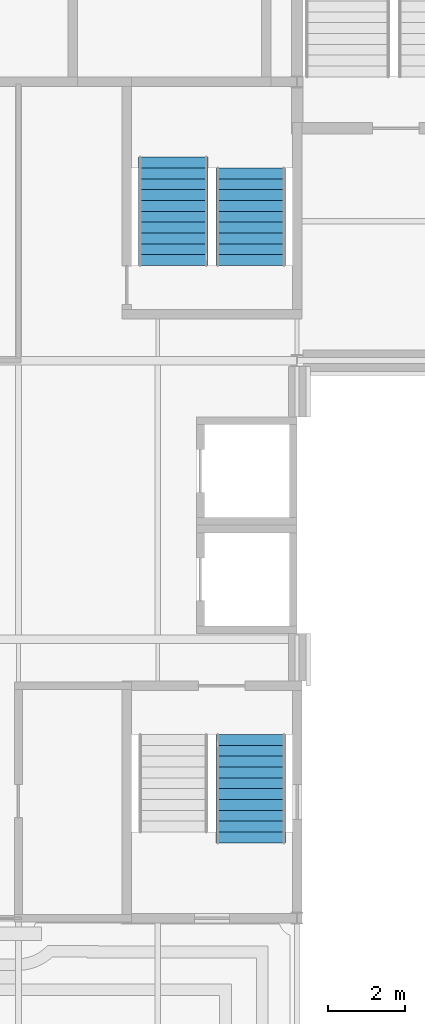
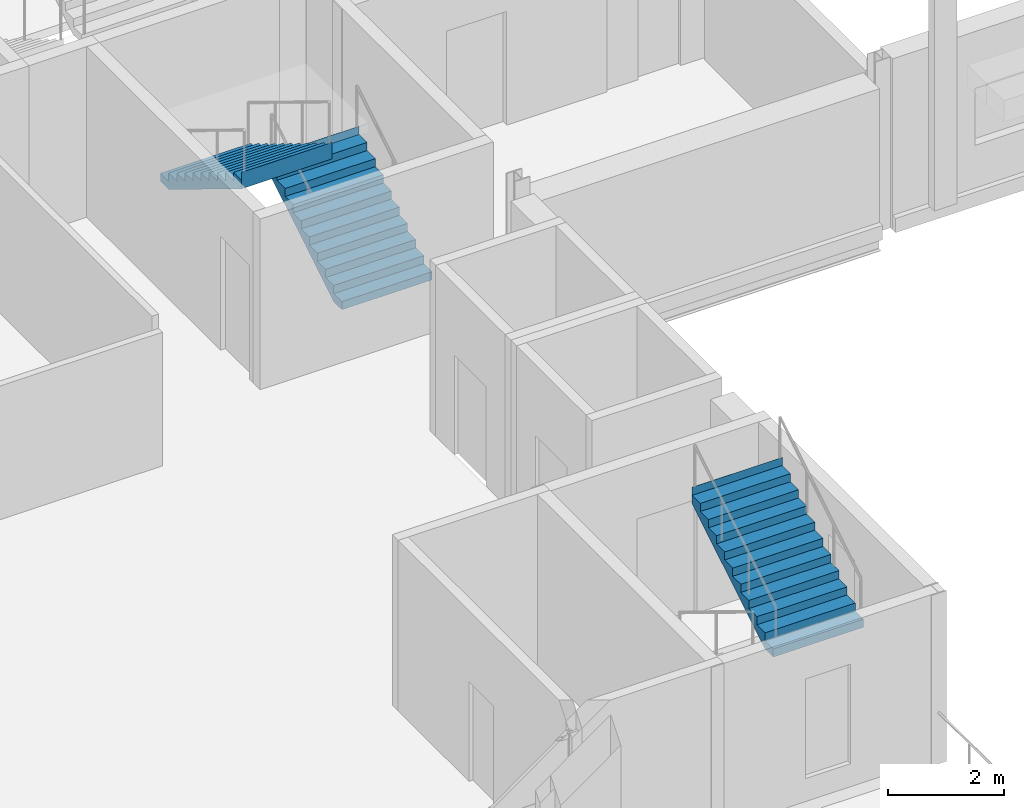
# One storey, part 91 of 143: 3 stair flights, 2 elements without a shape of their own.
"""IFC4 building model written with IfcOpenShell, lengths in metres."""

from ifc_helpers import new_model, si_unit, direction, frame, origin, place, context, subcontext, project, spatial, polyline, outline, extrude, material, type_object, element, aggregate, save


model = new_model("IFC4")

# Units and contexts
model_context = context("Model", 3, precision=1e-05, world=origin(), true_north=direction((0.0, 1.0)))
body_context = subcontext(model_context, "Body", "Model", "MODEL_VIEW")
ifc_project = project(units=[si_unit("LENGTHUNIT", "METRE"), si_unit("AREAUNIT", "SQUARE_METRE"), si_unit("VOLUMEUNIT", "CUBIC_METRE"), si_unit("PLANEANGLEUNIT", "RADIAN"), si_unit("MASSUNIT", "GRAM", prefix="KILO")], contexts=[model_context])

# Site, building, storey
site_placement = place(None, origin())
site = spatial("IfcSite", under=ifc_project, at=site_placement, CompositionType="ELEMENT")
building_placement = place(site_placement, origin())
building = spatial("IfcBuilding", under=site, at=building_placement, Name="Kupolbacken Congress Centre", CompositionType="ELEMENT")
storey_placement = place(building_placement, frame((0.0, 0.0, 7.199951171875)))
storey = spatial("IfcBuildingStorey", under=building, at=storey_placement, Name="L02", CompositionType="ELEMENT", Elevation=7.199951171875)

# Stair, stair flight
ifc_material_1 = material(Name="Steel S355", Category="steel")
stair_type = type_object("IfcStairType", Name="ST3 stair 1800", PredefinedType="TWO_STRAIGHT_RUN_STAIR", material=ifc_material_1)
stair_1_placement = place(storey_placement, origin())
stair_1 = element("IfcStair", 1, at=stair_1_placement, inside=storey, type_object=stair_type, Name="C/stair/FS2E/L02", PredefinedType="NOTDEFINED")
ifc_material_2 = material(Name="Steel S355", Category="steel")
stair_flight_type_1 = type_object("IfcStairFlightType", Name="FL5 stair flight 1800 x 10 risers", PredefinedType="STRAIGHT", material=ifc_material_2)
stair_flight_1_placement = place(storey_placement, frame((78.0, 45.655029296875, 0.0), z_axis=(0.0, 0.0, 1.0), x_axis=(0.0, 1.0, 0.0)))
stair_flight_1 = element("IfcStairFlight", 2, at=stair_flight_1_placement, type_object=stair_flight_type_1, Name="FS2E flight 1", NumberOfRisers=10, NumberOfTreads=9, PredefinedType="STRAIGHT", RiserHeight=0.171428571, TreadLength=0.28, context=body_context, shape_type="SweptSolid", body=[
    extrude(outline(polyline([(0.0, 0.0), (0.0, 0.0009765625), (0.0, 0.002197265625), (0.0, 0.003173828125), (0.0, 0.004150390625), (0.0, 0.00537109375), (0.0, 0.00634765625), (0.0, 0.007568359375), (0.0, 0.008544921875), (0.0, 0.009521484375), (0.0, 0.0107421875), (0.0, 0.01171875), (0.0, 0.0126953125), (0.0, 0.013916015625), (0.0, 0.014892578125), (0.0, 0.015869140625), (0.0, 0.01708984375), (0.0, 0.01806640625), (0.0, 0.019287109375), (0.0, 0.020263671875), (0.0, 0.021240234375), (0.0, 0.0224609375), (0.0, 0.0234375), (0.0, 0.0244140625), (0.0, 0.025634765625), (0.0, 0.026611328125), (0.0, 0.027587890625), (0.0, 0.02880859375), (0.0, 0.02978515625), (0.0, 0.03076171875), (0.0, 0.031982421875), (0.0, 0.032958984375), (0.0, 0.0341796875), (0.0, 0.03515625), (0.0, 0.0361328125), (0.0, 0.037353515625), (0.0, 0.038330078125), (0.0, 0.039306640625), (0.0, 0.04052734375), (0.0, 0.04150390625), (0.0, 0.04248046875), (0.0, 0.043701171875), (0.0, 0.044677734375), (0.0, 0.0458984375), (0.0, 0.046875), (0.0, 0.0478515625), (0.0, 0.049072265625), (0.0, 0.050048828125), (0.0, 0.051025390625), (0.0, 0.05224609375), (0.0, 0.05322265625), (0.0, 0.05419921875), (0.0, 0.055419921875), (0.0, 0.056396484375), (0.0, 0.0576171875), (0.0, 0.05859375), (0.0, 0.0595703125), (0.0, 0.060791015625), (0.0, 0.061767578125), (0.0, 0.062744140625), (0.0, 0.06396484375), (0.0, 0.06494140625), (0.0, 0.06591796875), (0.0, 0.067138671875), (0.0, 0.068115234375), (0.0, 0.069091796875), (0.0, 0.0703125), (0.0, 0.0712890625), (0.0, 0.072509765625), (0.0, 0.073486328125), (0.0, 0.074462890625), (0.0, 0.07568359375), (0.0, 0.07666015625), (0.0, 0.07763671875), (0.0, 0.078857421875), (0.0, 0.079833984375), (0.0, 0.080810546875), (0.0, 0.08203125), (0.0, 0.0830078125), (0.0, 0.084228515625), (0.0, 0.085205078125), (0.0, 0.086181640625), (0.0, 0.08740234375), (0.0, 0.08837890625), (0.0, 0.08935546875), (0.0, 0.090576171875), (0.0, 0.091552734375), (0.0, 0.092529296875), (0.0, 0.09375), (0.0, 0.0947265625), (0.0, 0.095947265625), (0.0, 0.096923828125), (0.0, 0.097900390625), (0.0, 0.09912109375), (0.0, 0.10009765625), (0.0, 0.10107421875), (0.0, 0.102294921875), (0.0, 0.103271484375), (0.0, 0.104248046875), (0.0, 0.10546875), (0.0, 0.1064453125), (0.0, 0.107421875), (0.0, 0.108642578125), (0.0, 0.109619140625), (0.0, 0.11083984375), (0.0, 0.11181640625), (0.0, 0.11279296875), (0.0, 0.114013671875), (0.0, 0.114990234375), (0.0, 0.115966796875), (0.0, 0.1171875), (0.0, 0.1181640625), (0.0, 0.119140625), (0.0, 0.120361328125), (0.0, 0.121337890625), (0.0, 0.12255859375), (0.0, 0.12353515625), (0.0, 0.12451171875), (0.0, 0.125732421875), (0.0, 0.126708984375), (0.0, 0.127685546875), (0.0, 0.12890625), (0.0, 0.1298828125), (0.0, 0.130859375), (0.0, 0.132080078125), (0.0, 0.133056640625), (0.0, 0.13427734375), (0.0, 0.13525390625), (0.0, 0.13623046875), (0.0, 0.137451171875), (0.0, 0.138427734375), (0.0, 0.139404296875), (0.0, 0.140625), (0.0, 0.1416015625), (0.0, 0.142578125), (0.0, 0.143798828125), (0.0, 0.144775390625), (0.0, 0.145751953125), (0.0, 0.14697265625), (0.0, 0.14794921875), (0.0, 0.149169921875), (0.0, 0.150146484375), (0.0, 0.151123046875), (0.0, 0.15234375), (0.0, 0.1533203125), (0.0, 0.154296875), (0.0, 0.155517578125), (0.0, 0.156494140625), (0.0, 0.157470703125), (0.0, 0.15869140625), (0.0, 0.15966796875), (0.0, 0.160888671875), (0.0, 0.161865234375), (0.0, 0.162841796875), (0.0, 0.1640625), (0.0, 0.1650390625), (0.0, 0.166015625), (0.0, 0.167236328125), (0.0, 0.168212890625), (0.0, 0.169189453125), (0.0, 0.17041015625), (0.0, 0.17138671875), (0.280029296875, 0.17138671875), (0.280029296875, 0.3427734375), (0.56005859375, 0.3427734375), (0.56005859375, 0.514404296875), (0.840087890625, 0.514404296875), (0.840087890625, 0.685791015625), (1.1201171875, 0.685791015625), (1.1201171875, 0.857177734375), (1.39990234375, 0.857177734375), (1.39990234375, 1.028564453125), (1.679931640625, 1.028564453125), (1.679931640625, 1.199951171875), (1.9599609375, 1.199951171875), (1.9599609375, 1.371337890625), (2.239990234375, 1.371337890625), (2.239990234375, 1.54296875), (2.52001953125, 1.54296875), (2.52001953125, 1.71435546875), (2.52197265625, 1.71435546875), (2.52197265625, 1.712158203125), (2.52197265625, 1.7099609375), (2.52197265625, 1.707763671875), (2.52197265625, 1.70556640625), (2.52197265625, 1.70361328125), (2.52197265625, 1.701416015625), (2.52197265625, 1.69921875), (2.52197265625, 1.697021484375), (2.52197265625, 1.69482421875), (2.52197265625, 1.692626953125), (2.52197265625, 1.690673828125), (2.52197265625, 1.6884765625), (2.52197265625, 1.686279296875), (2.52197265625, 1.68408203125), (2.52197265625, 1.681884765625), (2.52197265625, 1.6796875), (2.52197265625, 1.677734375), (2.52197265625, 1.675537109375), (2.52197265625, 1.67333984375), (2.52197265625, 1.671142578125), (2.52197265625, 1.6689453125), (2.52197265625, 1.666748046875), (2.52197265625, 1.664794921875), (2.52197265625, 1.66259765625), (2.52197265625, 1.660400390625), (2.52197265625, 1.658203125), (2.52197265625, 1.656005859375), (2.52197265625, 1.65380859375), (2.52197265625, 1.65185546875), (2.52197265625, 1.649658203125), (2.52197265625, 1.6474609375), (2.52197265625, 1.645263671875), (2.52197265625, 1.64306640625), (2.52197265625, 1.640869140625), (2.52197265625, 1.638916015625), (2.52197265625, 1.63671875), (2.52197265625, 1.634521484375), (2.52197265625, 1.63232421875), (2.52197265625, 1.630126953125), (2.52197265625, 1.6279296875), (2.52197265625, 1.6259765625), (2.52197265625, 1.623779296875), (2.52197265625, 1.62158203125), (2.52197265625, 1.619384765625), (2.52197265625, 1.6171875), (2.52197265625, 1.614990234375), (2.52197265625, 1.613037109375), (2.52197265625, 1.61083984375), (2.52197265625, 1.608642578125), (2.52197265625, 1.6064453125), (2.52197265625, 1.604248046875), (2.52197265625, 1.60205078125), (2.52197265625, 1.60009765625), (2.52197265625, 1.597900390625), (2.52197265625, 1.595703125), (2.52197265625, 1.593505859375), (2.52197265625, 1.59130859375), (2.52197265625, 1.589111328125), (2.52197265625, 1.587158203125), (2.52197265625, 1.5849609375), (2.52197265625, 1.582763671875), (2.52197265625, 1.58056640625), (2.52197265625, 1.578369140625), (2.52197265625, 1.576171875), (2.52197265625, 1.57421875), (2.52197265625, 1.572021484375), (2.52197265625, 1.56982421875), (2.52197265625, 1.567626953125), (2.52197265625, 1.5654296875), (2.52197265625, 1.563232421875), (2.52197265625, 1.561279296875), (2.52197265625, 1.55908203125), (2.52197265625, 1.556884765625), (2.52197265625, 1.5546875), (2.52197265625, 1.552490234375), (2.52197265625, 1.55029296875), (2.52197265625, 1.54833984375), (2.52197265625, 1.546142578125), (2.52197265625, 1.5439453125), (2.52197265625, 1.541748046875), (2.52197265625, 1.53955078125), (2.52197265625, 1.537353515625), (2.52197265625, 1.535400390625), (2.52197265625, 1.533203125), (2.52197265625, 1.531005859375), (2.52197265625, 1.52880859375), (2.52197265625, 1.526611328125), (2.52197265625, 1.5244140625), (2.52197265625, 1.5224609375), (2.52197265625, 1.520263671875), (2.52197265625, 1.51806640625), (2.52197265625, 1.515869140625), (2.52197265625, 1.513671875), (2.52197265625, 1.511474609375), (2.52197265625, 1.509521484375), (2.52197265625, 1.50732421875), (2.52197265625, 1.505126953125), (2.52197265625, 1.5029296875), (2.52197265625, 1.500732421875), (2.52197265625, 1.49853515625), (2.52197265625, 1.49658203125), (2.52197265625, 1.494384765625), (2.52197265625, 1.4921875), (2.52197265625, 1.489990234375), (2.52197265625, 1.48779296875), (2.52197265625, 1.485595703125), (2.52197265625, 1.483642578125), (2.52197265625, 1.4814453125), (2.52197265625, 1.479248046875), (2.52197265625, 1.47705078125), (2.52197265625, 1.474853515625), (2.52197265625, 1.47265625), (2.52197265625, 1.470703125), (2.52197265625, 1.468505859375), (2.52197265625, 1.46630859375), (2.52197265625, 1.464111328125), (2.52197265625, 1.4619140625), (2.52197265625, 1.459716796875), (2.52197265625, 1.457763671875), (2.52197265625, 1.45556640625), (2.52197265625, 1.453369140625), (2.52197265625, 1.451171875), (2.52197265625, 1.448974609375), (2.52197265625, 1.44677734375), (2.52197265625, 1.44482421875), (2.52197265625, 1.442626953125), (2.52197265625, 1.4404296875), (2.52197265625, 1.438232421875), (2.52197265625, 1.43603515625), (2.52197265625, 1.433837890625), (2.52197265625, 1.431884765625), (2.52197265625, 1.4296875), (2.52197265625, 1.427490234375), (2.52197265625, 1.42529296875), (2.52197265625, 1.423095703125), (2.52197265625, 1.4208984375), (2.52197265625, 1.4189453125), (2.52197265625, 1.416748046875), (2.52197265625, 1.41455078125), (2.52197265625, 1.412353515625), (2.52197265625, 1.41015625), (2.52197265625, 1.407958984375), (2.52197265625, 1.406005859375), (2.52197265625, 1.40380859375), (2.52197265625, 1.401611328125), (2.52197265625, 1.3994140625), (2.52197265625, 1.397216796875), (2.52197265625, 1.39501953125), (2.52197265625, 1.39306640625), (2.52197265625, 1.390869140625), (2.52197265625, 1.388671875), (2.52197265625, 1.386474609375), (2.52197265625, 1.38427734375), (2.52197265625, 1.382080078125), (2.52197265625, 1.380126953125), (2.52197265625, 1.3779296875), (2.52197265625, 1.375732421875), (2.52197265625, 1.37353515625), (2.52197265625, 1.371337890625), (2.52197265625, 1.369140625), (2.52197265625, 1.3671875), (0.2890625, 0.0), (0.0, 0.0)])), frame((0.0, 0.89990234375, 0.0), z_axis=(0.0, -1.0, 0.0), x_axis=(1.0, 0.0, 0.0)), (0.0, 0.0, 1.0), 1.800048828125),
])

stair_2_placement = place(storey_placement, origin())
stair_2 = element("IfcStair", 3, at=stair_2_placement, inside=storey, type_object=stair_type, Name="C/stair/FS1E/L02", PredefinedType="NOTDEFINED")
ifc_material_3 = material(Name="Steel S355", Category="steel")
stair_flight_type_2 = type_object("IfcStairFlightType", Name="FL6 stair flight 1800 x 11 risers", PredefinedType="STRAIGHT", material=ifc_material_3)
stair_flight_2_placement = place(storey_placement, frame((78.0, 30.7451171875, 1.71435546875), z_axis=(0.0, 0.0, 1.0), x_axis=(0.0, 1.0, 0.0)))
stair_flight_2 = element("IfcStairFlight", 4, at=stair_flight_2_placement, type_object=stair_flight_type_2, Name="FS1E flight 2", NumberOfRisers=11, NumberOfTreads=10, PredefinedType="STRAIGHT", RiserHeight=0.171428571, TreadLength=0.28, context=body_context, shape_type="SweptSolid", body=[
    extrude(outline(polyline([(0.0, 0.0), (0.0, 0.0009765625), (0.0, 0.002197265625), (0.0, 0.003173828125), (0.0, 0.004150390625), (0.0, 0.00537109375), (0.0, 0.00634765625), (0.0, 0.007568359375), (0.0, 0.008544921875), (0.0, 0.009521484375), (0.0, 0.0107421875), (0.0, 0.01171875), (0.0, 0.0126953125), (0.0, 0.013916015625), (0.0, 0.014892578125), (0.0, 0.015869140625), (0.0, 0.01708984375), (0.0, 0.01806640625), (0.0, 0.019287109375), (0.0, 0.020263671875), (0.0, 0.021240234375), (0.0, 0.0224609375), (0.0, 0.0234375), (0.0, 0.0244140625), (0.0, 0.025634765625), (0.0, 0.026611328125), (0.0, 0.027587890625), (0.0, 0.02880859375), (0.0, 0.02978515625), (0.0, 0.03076171875), (0.0, 0.031982421875), (0.0, 0.032958984375), (0.0, 0.0341796875), (0.0, 0.03515625), (0.0, 0.0361328125), (0.0, 0.037353515625), (0.0, 0.038330078125), (0.0, 0.039306640625), (0.0, 0.04052734375), (0.0, 0.04150390625), (0.0, 0.04248046875), (0.0, 0.043701171875), (0.0, 0.044677734375), (0.0, 0.0458984375), (0.0, 0.046875), (0.0, 0.0478515625), (0.0, 0.049072265625), (0.0, 0.050048828125), (0.0, 0.051025390625), (0.0, 0.05224609375), (0.0, 0.05322265625), (0.0, 0.05419921875), (0.0, 0.055419921875), (0.0, 0.056396484375), (0.0, 0.0576171875), (0.0, 0.05859375), (0.0, 0.0595703125), (0.0, 0.060791015625), (0.0, 0.061767578125), (0.0, 0.062744140625), (0.0, 0.06396484375), (0.0, 0.06494140625), (0.0, 0.06591796875), (0.0, 0.067138671875), (0.0, 0.068115234375), (0.0, 0.069091796875), (0.0, 0.0703125), (0.0, 0.0712890625), (0.0, 0.072509765625), (0.0, 0.073486328125), (0.0, 0.074462890625), (0.0, 0.07568359375), (0.0, 0.07666015625), (0.0, 0.07763671875), (0.0, 0.078857421875), (0.0, 0.079833984375), (0.0, 0.080810546875), (0.0, 0.08203125), (0.0, 0.0830078125), (0.0, 0.084228515625), (0.0, 0.085205078125), (0.0, 0.086181640625), (0.0, 0.08740234375), (0.0, 0.08837890625), (0.0, 0.08935546875), (0.0, 0.090576171875), (0.0, 0.091552734375), (0.0, 0.092529296875), (0.0, 0.09375), (0.0, 0.0947265625), (0.0, 0.095947265625), (0.0, 0.096923828125), (0.0, 0.097900390625), (0.0, 0.09912109375), (0.0, 0.10009765625), (0.0, 0.10107421875), (0.0, 0.102294921875), (0.0, 0.103271484375), (0.0, 0.104248046875), (0.0, 0.10546875), (0.0, 0.1064453125), (0.0, 0.107421875), (0.0, 0.108642578125), (0.0, 0.109619140625), (0.0, 0.11083984375), (0.0, 0.11181640625), (0.0, 0.11279296875), (0.0, 0.114013671875), (0.0, 0.114990234375), (0.0, 0.115966796875), (0.0, 0.1171875), (0.0, 0.1181640625), (0.0, 0.119140625), (0.0, 0.120361328125), (0.0, 0.121337890625), (0.0, 0.12255859375), (0.0, 0.12353515625), (0.0, 0.12451171875), (0.0, 0.125732421875), (0.0, 0.126708984375), (0.0, 0.127685546875), (0.0, 0.12890625), (0.0, 0.1298828125), (0.0, 0.130859375), (0.0, 0.132080078125), (0.0, 0.133056640625), (0.0, 0.13427734375), (0.0, 0.13525390625), (0.0, 0.13623046875), (0.0, 0.137451171875), (0.0, 0.138427734375), (0.0, 0.139404296875), (0.0, 0.140625), (0.0, 0.1416015625), (0.0, 0.142578125), (0.0, 0.143798828125), (0.0, 0.144775390625), (0.0, 0.145751953125), (0.0, 0.14697265625), (0.0, 0.14794921875), (0.0, 0.149169921875), (0.0, 0.150146484375), (0.0, 0.151123046875), (0.0, 0.15234375), (0.0, 0.1533203125), (0.0, 0.154296875), (0.0, 0.155517578125), (0.0, 0.156494140625), (0.0, 0.157470703125), (0.0, 0.15869140625), (0.0, 0.15966796875), (0.0, 0.160888671875), (0.0, 0.161865234375), (0.0, 0.162841796875), (0.0, 0.1640625), (0.0, 0.1650390625), (0.0, 0.166015625), (0.0, 0.167236328125), (0.0, 0.168212890625), (0.0, 0.169189453125), (0.0, 0.17041015625), (0.0, 0.17138671875), (0.280029296875, 0.17138671875), (0.280029296875, 0.3427734375), (0.56005859375, 0.3427734375), (0.56005859375, 0.514404296875), (0.840087890625, 0.514404296875), (0.840087890625, 0.685791015625), (1.1201171875, 0.685791015625), (1.1201171875, 0.857177734375), (1.39990234375, 0.857177734375), (1.39990234375, 1.028564453125), (1.679931640625, 1.028564453125), (1.679931640625, 1.199951171875), (1.9599609375, 1.199951171875), (1.9599609375, 1.371337890625), (2.239990234375, 1.371337890625), (2.239990234375, 1.54296875), (2.52001953125, 1.54296875), (2.52001953125, 1.71435546875), (2.800048828125, 1.71435546875), (2.800048828125, 1.8857421875), (2.802001953125, 1.8857421875), (2.802001953125, 1.883544921875), (2.802001953125, 1.88134765625), (2.802001953125, 1.879150390625), (2.802001953125, 1.877197265625), (2.802001953125, 1.875), (2.802001953125, 1.872802734375), (2.802001953125, 1.87060546875), (2.802001953125, 1.868408203125), (2.802001953125, 1.8662109375), (2.802001953125, 1.8642578125), (2.802001953125, 1.862060546875), (2.802001953125, 1.85986328125), (2.802001953125, 1.857666015625), (2.802001953125, 1.85546875), (2.802001953125, 1.853271484375), (2.802001953125, 1.851318359375), (2.802001953125, 1.84912109375), (2.802001953125, 1.846923828125), (2.802001953125, 1.8447265625), (2.802001953125, 1.842529296875), (2.802001953125, 1.84033203125), (2.802001953125, 1.83837890625), (2.802001953125, 1.836181640625), (2.802001953125, 1.833984375), (2.802001953125, 1.831787109375), (2.802001953125, 1.82958984375), (2.802001953125, 1.827392578125), (2.802001953125, 1.825439453125), (2.802001953125, 1.8232421875), (2.802001953125, 1.821044921875), (2.802001953125, 1.81884765625), (2.802001953125, 1.816650390625), (2.802001953125, 1.814453125), (2.802001953125, 1.8125), (2.802001953125, 1.810302734375), (2.802001953125, 1.80810546875), (2.802001953125, 1.805908203125), (2.802001953125, 1.8037109375), (2.802001953125, 1.801513671875), (2.802001953125, 1.799560546875), (2.802001953125, 1.79736328125), (2.802001953125, 1.795166015625), (2.802001953125, 1.79296875), (2.802001953125, 1.790771484375), (2.802001953125, 1.78857421875), (2.802001953125, 1.78662109375), (2.802001953125, 1.784423828125), (2.802001953125, 1.7822265625), (2.802001953125, 1.780029296875), (2.802001953125, 1.77783203125), (2.802001953125, 1.775634765625), (2.802001953125, 1.773681640625), (2.802001953125, 1.771484375), (2.802001953125, 1.769287109375), (2.802001953125, 1.76708984375), (2.802001953125, 1.764892578125), (2.802001953125, 1.7626953125), (2.802001953125, 1.7607421875), (2.802001953125, 1.758544921875), (2.802001953125, 1.75634765625), (2.802001953125, 1.754150390625), (2.802001953125, 1.751953125), (2.802001953125, 1.749755859375), (2.802001953125, 1.747802734375), (2.802001953125, 1.74560546875), (2.802001953125, 1.743408203125), (2.802001953125, 1.7412109375), (2.802001953125, 1.739013671875), (2.802001953125, 1.73681640625), (2.802001953125, 1.73486328125), (2.802001953125, 1.732666015625), (2.802001953125, 1.73046875), (2.802001953125, 1.728271484375), (2.802001953125, 1.72607421875), (2.802001953125, 1.723876953125), (2.802001953125, 1.721923828125), (2.802001953125, 1.7197265625), (2.802001953125, 1.717529296875), (2.802001953125, 1.71533203125), (2.802001953125, 1.713134765625), (2.802001953125, 1.7109375), (2.802001953125, 1.708984375), (2.802001953125, 1.706787109375), (2.802001953125, 1.70458984375), (2.802001953125, 1.702392578125), (2.802001953125, 1.7001953125), (2.802001953125, 1.697998046875), (2.802001953125, 1.696044921875), (2.802001953125, 1.69384765625), (2.802001953125, 1.691650390625), (2.802001953125, 1.689453125), (2.802001953125, 1.687255859375), (2.802001953125, 1.68505859375), (2.802001953125, 1.68310546875), (2.802001953125, 1.680908203125), (2.802001953125, 1.6787109375), (2.802001953125, 1.676513671875), (2.802001953125, 1.67431640625), (2.802001953125, 1.672119140625), (2.802001953125, 1.670166015625), (2.802001953125, 1.66796875), (2.802001953125, 1.665771484375), (2.802001953125, 1.66357421875), (2.802001953125, 1.661376953125), (2.802001953125, 1.6591796875), (2.802001953125, 1.6572265625), (2.802001953125, 1.655029296875), (2.802001953125, 1.65283203125), (2.802001953125, 1.650634765625), (2.802001953125, 1.6484375), (2.802001953125, 1.646240234375), (2.802001953125, 1.644287109375), (2.802001953125, 1.64208984375), (2.802001953125, 1.639892578125), (2.802001953125, 1.6376953125), (2.802001953125, 1.635498046875), (2.802001953125, 1.63330078125), (2.802001953125, 1.63134765625), (2.802001953125, 1.629150390625), (2.802001953125, 1.626953125), (2.802001953125, 1.624755859375), (2.802001953125, 1.62255859375), (2.802001953125, 1.620361328125), (2.802001953125, 1.618408203125), (2.802001953125, 1.6162109375), (2.802001953125, 1.614013671875), (2.802001953125, 1.61181640625), (2.802001953125, 1.609619140625), (2.802001953125, 1.607421875), (2.802001953125, 1.60546875), (2.802001953125, 1.603271484375), (2.802001953125, 1.60107421875), (2.802001953125, 1.598876953125), (2.802001953125, 1.5966796875), (2.802001953125, 1.594482421875), (2.802001953125, 1.592529296875), (2.802001953125, 1.59033203125), (2.802001953125, 1.588134765625), (2.802001953125, 1.5859375), (2.802001953125, 1.583740234375), (2.802001953125, 1.58154296875), (2.802001953125, 1.57958984375), (2.802001953125, 1.577392578125), (2.802001953125, 1.5751953125), (2.802001953125, 1.572998046875), (2.802001953125, 1.57080078125), (2.802001953125, 1.568603515625), (2.802001953125, 1.566650390625), (2.802001953125, 1.564453125), (2.802001953125, 1.562255859375), (2.802001953125, 1.56005859375), (2.802001953125, 1.557861328125), (2.802001953125, 1.5556640625), (2.802001953125, 1.5537109375), (2.802001953125, 1.551513671875), (2.802001953125, 1.54931640625), (2.802001953125, 1.547119140625), (2.802001953125, 1.544921875), (2.802001953125, 1.542724609375), (2.802001953125, 1.540771484375), (2.802001953125, 1.53857421875), (0.2890625, 0.0), (0.0, 0.0)])), frame((0.0, 0.89990234375, 0.0), z_axis=(0.0, -1.0, 0.0), x_axis=(1.0, 0.0, 0.0)), (0.0, 0.0, 1.0), 1.800048828125),
])
aggregate(stair_2, [stair_flight_2])

# Stair flight
stair_flight_3_placement = place(storey_placement, frame((76.0, 48.455078125, 1.71435546875), z_axis=(0.0, 0.0, 1.0), x_axis=(0.0, -1.0, 0.0)))
stair_flight_3 = element("IfcStairFlight", 5, at=stair_flight_3_placement, type_object=stair_flight_type_2, Name="FS2E flight 2", NumberOfRisers=11, NumberOfTreads=10, PredefinedType="STRAIGHT", RiserHeight=0.171428571, TreadLength=0.28, context=body_context, shape_type="SweptSolid", body=[
    extrude(outline(polyline([(0.0, 0.0), (0.0, 0.0009765625), (0.0, 0.002197265625), (0.0, 0.003173828125), (0.0, 0.004150390625), (0.0, 0.00537109375), (0.0, 0.00634765625), (0.0, 0.007568359375), (0.0, 0.008544921875), (0.0, 0.009521484375), (0.0, 0.0107421875), (0.0, 0.01171875), (0.0, 0.0126953125), (0.0, 0.013916015625), (0.0, 0.014892578125), (0.0, 0.015869140625), (0.0, 0.01708984375), (0.0, 0.01806640625), (0.0, 0.019287109375), (0.0, 0.020263671875), (0.0, 0.021240234375), (0.0, 0.0224609375), (0.0, 0.0234375), (0.0, 0.0244140625), (0.0, 0.025634765625), (0.0, 0.026611328125), (0.0, 0.027587890625), (0.0, 0.02880859375), (0.0, 0.02978515625), (0.0, 0.03076171875), (0.0, 0.031982421875), (0.0, 0.032958984375), (0.0, 0.0341796875), (0.0, 0.03515625), (0.0, 0.0361328125), (0.0, 0.037353515625), (0.0, 0.038330078125), (0.0, 0.039306640625), (0.0, 0.04052734375), (0.0, 0.04150390625), (0.0, 0.04248046875), (0.0, 0.043701171875), (0.0, 0.044677734375), (0.0, 0.0458984375), (0.0, 0.046875), (0.0, 0.0478515625), (0.0, 0.049072265625), (0.0, 0.050048828125), (0.0, 0.051025390625), (0.0, 0.05224609375), (0.0, 0.05322265625), (0.0, 0.05419921875), (0.0, 0.055419921875), (0.0, 0.056396484375), (0.0, 0.0576171875), (0.0, 0.05859375), (0.0, 0.0595703125), (0.0, 0.060791015625), (0.0, 0.061767578125), (0.0, 0.062744140625), (0.0, 0.06396484375), (0.0, 0.06494140625), (0.0, 0.06591796875), (0.0, 0.067138671875), (0.0, 0.068115234375), (0.0, 0.069091796875), (0.0, 0.0703125), (0.0, 0.0712890625), (0.0, 0.072509765625), (0.0, 0.073486328125), (0.0, 0.074462890625), (0.0, 0.07568359375), (0.0, 0.07666015625), (0.0, 0.07763671875), (0.0, 0.078857421875), (0.0, 0.079833984375), (0.0, 0.080810546875), (0.0, 0.08203125), (0.0, 0.0830078125), (0.0, 0.084228515625), (0.0, 0.085205078125), (0.0, 0.086181640625), (0.0, 0.08740234375), (0.0, 0.08837890625), (0.0, 0.08935546875), (0.0, 0.090576171875), (0.0, 0.091552734375), (0.0, 0.092529296875), (0.0, 0.09375), (0.0, 0.0947265625), (0.0, 0.095947265625), (0.0, 0.096923828125), (0.0, 0.097900390625), (0.0, 0.09912109375), (0.0, 0.10009765625), (0.0, 0.10107421875), (0.0, 0.102294921875), (0.0, 0.103271484375), (0.0, 0.104248046875), (0.0, 0.10546875), (0.0, 0.1064453125), (0.0, 0.107421875), (0.0, 0.108642578125), (0.0, 0.109619140625), (0.0, 0.11083984375), (0.0, 0.11181640625), (0.0, 0.11279296875), (0.0, 0.114013671875), (0.0, 0.114990234375), (0.0, 0.115966796875), (0.0, 0.1171875), (0.0, 0.1181640625), (0.0, 0.119140625), (0.0, 0.120361328125), (0.0, 0.121337890625), (0.0, 0.12255859375), (0.0, 0.12353515625), (0.0, 0.12451171875), (0.0, 0.125732421875), (0.0, 0.126708984375), (0.0, 0.127685546875), (0.0, 0.12890625), (0.0, 0.1298828125), (0.0, 0.130859375), (0.0, 0.132080078125), (0.0, 0.133056640625), (0.0, 0.13427734375), (0.0, 0.13525390625), (0.0, 0.13623046875), (0.0, 0.137451171875), (0.0, 0.138427734375), (0.0, 0.139404296875), (0.0, 0.140625), (0.0, 0.1416015625), (0.0, 0.142578125), (0.0, 0.143798828125), (0.0, 0.144775390625), (0.0, 0.145751953125), (0.0, 0.14697265625), (0.0, 0.14794921875), (0.0, 0.149169921875), (0.0, 0.150146484375), (0.0, 0.151123046875), (0.0, 0.15234375), (0.0, 0.1533203125), (0.0, 0.154296875), (0.0, 0.155517578125), (0.0, 0.156494140625), (0.0, 0.157470703125), (0.0, 0.15869140625), (0.0, 0.15966796875), (0.0, 0.160888671875), (0.0, 0.161865234375), (0.0, 0.162841796875), (0.0, 0.1640625), (0.0, 0.1650390625), (0.0, 0.166015625), (0.0, 0.167236328125), (0.0, 0.168212890625), (0.0, 0.169189453125), (0.0, 0.17041015625), (0.0, 0.17138671875), (0.280029296875, 0.17138671875), (0.280029296875, 0.3427734375), (0.56005859375, 0.3427734375), (0.56005859375, 0.514404296875), (0.840087890625, 0.514404296875), (0.840087890625, 0.685791015625), (1.1201171875, 0.685791015625), (1.1201171875, 0.857177734375), (1.39990234375, 0.857177734375), (1.39990234375, 1.028564453125), (1.679931640625, 1.028564453125), (1.679931640625, 1.199951171875), (1.9599609375, 1.199951171875), (1.9599609375, 1.371337890625), (2.239990234375, 1.371337890625), (2.239990234375, 1.54296875), (2.52001953125, 1.54296875), (2.52001953125, 1.71435546875), (2.800048828125, 1.71435546875), (2.800048828125, 1.8857421875), (2.802001953125, 1.8857421875), (2.802001953125, 1.883544921875), (2.802001953125, 1.88134765625), (2.802001953125, 1.879150390625), (2.802001953125, 1.877197265625), (2.802001953125, 1.875), (2.802001953125, 1.872802734375), (2.802001953125, 1.87060546875), (2.802001953125, 1.868408203125), (2.802001953125, 1.8662109375), (2.802001953125, 1.8642578125), (2.802001953125, 1.862060546875), (2.802001953125, 1.85986328125), (2.802001953125, 1.857666015625), (2.802001953125, 1.85546875), (2.802001953125, 1.853271484375), (2.802001953125, 1.851318359375), (2.802001953125, 1.84912109375), (2.802001953125, 1.846923828125), (2.802001953125, 1.8447265625), (2.802001953125, 1.842529296875), (2.802001953125, 1.84033203125), (2.802001953125, 1.83837890625), (2.802001953125, 1.836181640625), (2.802001953125, 1.833984375), (2.802001953125, 1.831787109375), (2.802001953125, 1.82958984375), (2.802001953125, 1.827392578125), (2.802001953125, 1.825439453125), (2.802001953125, 1.8232421875), (2.802001953125, 1.821044921875), (2.802001953125, 1.81884765625), (2.802001953125, 1.816650390625), (2.802001953125, 1.814453125), (2.802001953125, 1.8125), (2.802001953125, 1.810302734375), (2.802001953125, 1.80810546875), (2.802001953125, 1.805908203125), (2.802001953125, 1.8037109375), (2.802001953125, 1.801513671875), (2.802001953125, 1.799560546875), (2.802001953125, 1.79736328125), (2.802001953125, 1.795166015625), (2.802001953125, 1.79296875), (2.802001953125, 1.790771484375), (2.802001953125, 1.78857421875), (2.802001953125, 1.78662109375), (2.802001953125, 1.784423828125), (2.802001953125, 1.7822265625), (2.802001953125, 1.780029296875), (2.802001953125, 1.77783203125), (2.802001953125, 1.775634765625), (2.802001953125, 1.773681640625), (2.802001953125, 1.771484375), (2.802001953125, 1.769287109375), (2.802001953125, 1.76708984375), (2.802001953125, 1.764892578125), (2.802001953125, 1.7626953125), (2.802001953125, 1.7607421875), (2.802001953125, 1.758544921875), (2.802001953125, 1.75634765625), (2.802001953125, 1.754150390625), (2.802001953125, 1.751953125), (2.802001953125, 1.749755859375), (2.802001953125, 1.747802734375), (2.802001953125, 1.74560546875), (2.802001953125, 1.743408203125), (2.802001953125, 1.7412109375), (2.802001953125, 1.739013671875), (2.802001953125, 1.73681640625), (2.802001953125, 1.73486328125), (2.802001953125, 1.732666015625), (2.802001953125, 1.73046875), (2.802001953125, 1.728271484375), (2.802001953125, 1.72607421875), (2.802001953125, 1.723876953125), (2.802001953125, 1.721923828125), (2.802001953125, 1.7197265625), (2.802001953125, 1.717529296875), (2.802001953125, 1.71533203125), (2.802001953125, 1.713134765625), (2.802001953125, 1.7109375), (2.802001953125, 1.708984375), (2.802001953125, 1.706787109375), (2.802001953125, 1.70458984375), (2.802001953125, 1.702392578125), (2.802001953125, 1.7001953125), (2.802001953125, 1.697998046875), (2.802001953125, 1.696044921875), (2.802001953125, 1.69384765625), (2.802001953125, 1.691650390625), (2.802001953125, 1.689453125), (2.802001953125, 1.687255859375), (2.802001953125, 1.68505859375), (2.802001953125, 1.68310546875), (2.802001953125, 1.680908203125), (2.802001953125, 1.6787109375), (2.802001953125, 1.676513671875), (2.802001953125, 1.67431640625), (2.802001953125, 1.672119140625), (2.802001953125, 1.670166015625), (2.802001953125, 1.66796875), (2.802001953125, 1.665771484375), (2.802001953125, 1.66357421875), (2.802001953125, 1.661376953125), (2.802001953125, 1.6591796875), (2.802001953125, 1.6572265625), (2.802001953125, 1.655029296875), (2.802001953125, 1.65283203125), (2.802001953125, 1.650634765625), (2.802001953125, 1.6484375), (2.802001953125, 1.646240234375), (2.802001953125, 1.644287109375), (2.802001953125, 1.64208984375), (2.802001953125, 1.639892578125), (2.802001953125, 1.6376953125), (2.802001953125, 1.635498046875), (2.802001953125, 1.63330078125), (2.802001953125, 1.63134765625), (2.802001953125, 1.629150390625), (2.802001953125, 1.626953125), (2.802001953125, 1.624755859375), (2.802001953125, 1.62255859375), (2.802001953125, 1.620361328125), (2.802001953125, 1.618408203125), (2.802001953125, 1.6162109375), (2.802001953125, 1.614013671875), (2.802001953125, 1.61181640625), (2.802001953125, 1.609619140625), (2.802001953125, 1.607421875), (2.802001953125, 1.60546875), (2.802001953125, 1.603271484375), (2.802001953125, 1.60107421875), (2.802001953125, 1.598876953125), (2.802001953125, 1.5966796875), (2.802001953125, 1.594482421875), (2.802001953125, 1.592529296875), (2.802001953125, 1.59033203125), (2.802001953125, 1.588134765625), (2.802001953125, 1.5859375), (2.802001953125, 1.583740234375), (2.802001953125, 1.58154296875), (2.802001953125, 1.57958984375), (2.802001953125, 1.577392578125), (2.802001953125, 1.5751953125), (2.802001953125, 1.572998046875), (2.802001953125, 1.57080078125), (2.802001953125, 1.568603515625), (2.802001953125, 1.566650390625), (2.802001953125, 1.564453125), (2.802001953125, 1.562255859375), (2.802001953125, 1.56005859375), (2.802001953125, 1.557861328125), (2.802001953125, 1.5556640625), (2.802001953125, 1.5537109375), (2.802001953125, 1.551513671875), (2.802001953125, 1.54931640625), (2.802001953125, 1.547119140625), (2.802001953125, 1.544921875), (2.802001953125, 1.542724609375), (2.802001953125, 1.540771484375), (2.802001953125, 1.53857421875), (0.2890625, 0.0), (0.0, 0.0)])), frame((0.0, 0.89990234375, 0.0), z_axis=(0.0, -1.0, 0.0), x_axis=(1.0, 0.0, 0.0)), (0.0, 0.0, 1.0), 1.800048828125),
])

aggregate(stair_1, [stair_flight_1, stair_flight_3])

save(model, "model.ifc")
